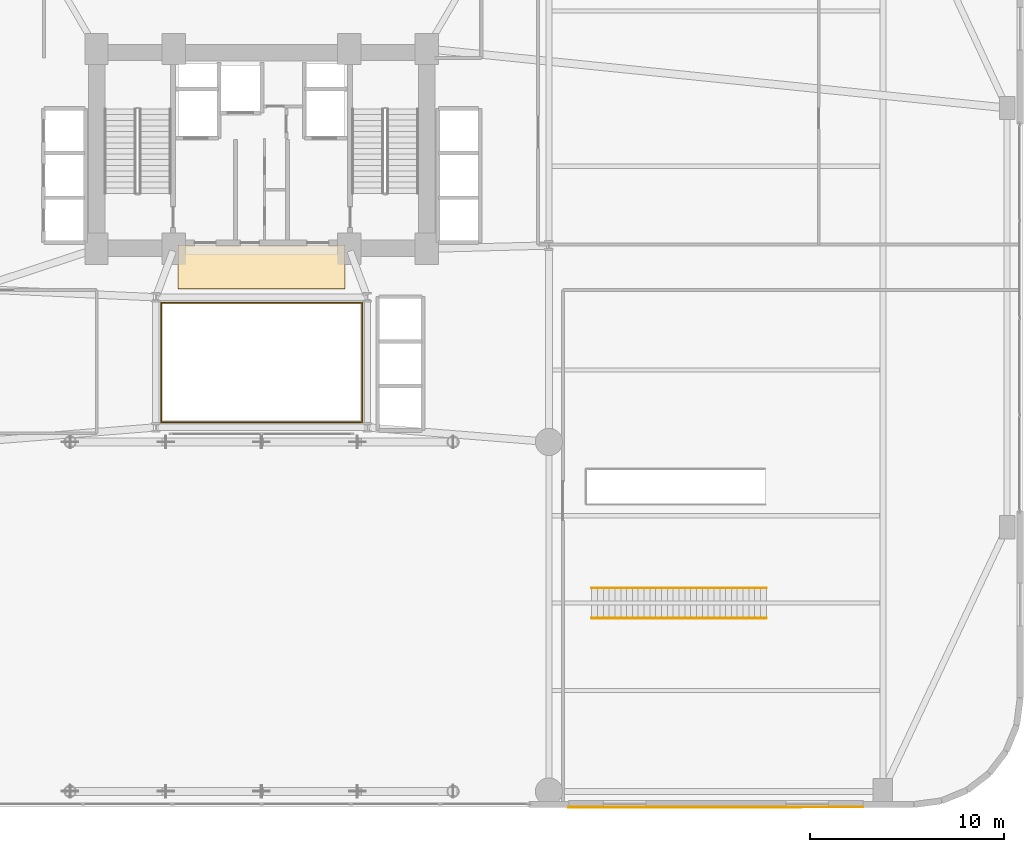
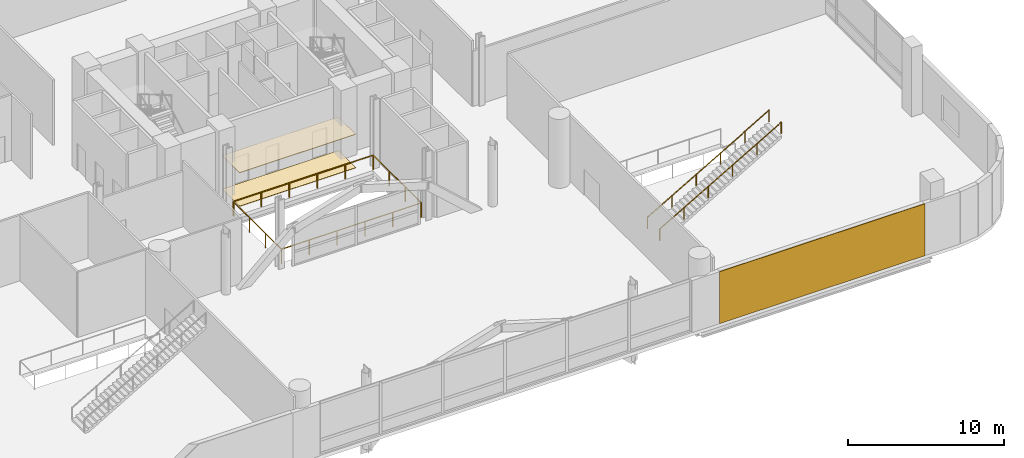
# One storey, part 31 of 36: 4 railings, 3 coverings.
"""IFC4 building model written with IfcOpenShell, lengths in metres."""

from ifc_helpers import new_model, si_unit, direction, frame, origin, origin_2d, place, context, subcontext, project, spatial, rectangle, circle, extrude, source, transform, mapped, material, layer, layer_set, type_object, element, save


model = new_model("IFC4")

# Units and contexts
model_context = context("Model", 3, precision=1e-05, world=origin(), true_north=direction((0.0, 1.0)))
body_context = subcontext(model_context, "Body", "Model", "MODEL_VIEW")
ifc_project = project(units=[si_unit("LENGTHUNIT", "METRE"), si_unit("AREAUNIT", "SQUARE_METRE"), si_unit("VOLUMEUNIT", "CUBIC_METRE"), si_unit("PLANEANGLEUNIT", "RADIAN"), si_unit("MASSUNIT", "GRAM", prefix="KILO")], contexts=[model_context])

# Site, building, storey
site_placement = place(None, origin())
site = spatial("IfcSite", under=ifc_project, at=site_placement, CompositionType="ELEMENT")
building_placement = place(site_placement, origin())
building = spatial("IfcBuilding", under=site, at=building_placement, Name="Varnelok Gate Tower", CompositionType="ELEMENT")
storey_placement = place(building_placement, frame((0.0, 0.0, 10.800048828125)))
storey = spatial("IfcBuildingStorey", under=building, at=storey_placement, Name="L02", CompositionType="ELEMENT", Elevation=10.800048828125)

# Railings
ifc_material_1 = material(Name="Tempered Laminated Balustrade Glass", Category="glass")
railing_type_1 = type_object("IfcRailingType", Name="RL-ATR-GUARD1150", PredefinedType="GUARDRAIL", material=ifc_material_1)
railing_1_placement = place(storey_placement, frame((34.02001953125, 25.929931640625, 0.0)))
element("IfcRailing", 1, at=railing_1_placement, inside=storey, type_object=railing_type_1, Name="L02 Internal Atrium South-West Guardrail", PredefinedType="GUARDRAIL", context=body_context, shape_type="SweptSolid", body=[
    extrude(circle(Radius=0.02392578125, at=origin_2d()), frame((0.0, 0.0, 1.1259765625), z_axis=(0.0, -1.0, 0.0), x_axis=(1.0, 0.0, 0.0)), (0.0, 0.0, 1.0), 6.10986328125),
    extrude(circle(Radius=0.02392578125, at=origin_2d()), frame((0.0, -6.10986328125, 1.1259765625), z_axis=(1.0, 0.0, 0.0), x_axis=(0.0, 1.0, 0.0)), (0.0, 0.0, 1.0), 10.31005859375),
    extrude(circle(Radius=0.02099609375, at=origin_2d()), origin(), (0.0, 0.0, 1.0), 1.101806640625),
    extrude(circle(Radius=0.02099609375, at=origin_2d()), frame((0.0, -2.03662109375, 0.0)), (0.0, 0.0, 1.0), 1.101806640625),
    extrude(circle(Radius=0.02099609375, at=origin_2d()), frame((0.0, -4.0732421875, 0.0)), (0.0, 0.0, 1.0), 1.101806640625),
    extrude(circle(Radius=0.02099609375, at=origin_2d()), frame((0.0, -6.10986328125, 0.0)), (0.0, 0.0, 1.0), 1.101806640625),
    extrude(circle(Radius=0.02099609375, at=origin_2d()), frame((2.06201171875, -6.10986328125, 0.0)), (0.0, 0.0, 1.0), 1.101806640625),
    extrude(circle(Radius=0.02099609375, at=origin_2d()), frame((4.1240234375, -6.10986328125, 0.0)), (0.0, 0.0, 1.0), 1.101806640625),
    extrude(circle(Radius=0.02099609375, at=origin_2d()), frame((6.18603515625, -6.10986328125, 0.0)), (0.0, 0.0, 1.0), 1.101806640625),
    extrude(circle(Radius=0.02099609375, at=origin_2d()), frame((8.248046875, -6.10986328125, 0.0)), (0.0, 0.0, 1.0), 1.101806640625),
    extrude(circle(Radius=0.02099609375, at=origin_2d()), frame((10.31005859375, -6.10986328125, 0.0)), (0.0, 0.0, 1.0), 1.101806640625),
])
railing_2_placement = place(storey_placement, frame((44.3798828125, 19.820068359375, 0.0)))
element("IfcRailing", 2, at=railing_2_placement, inside=storey, type_object=railing_type_1, Name="L02 Internal Atrium North-East Guardrail", PredefinedType="GUARDRAIL", context=body_context, shape_type="SweptSolid", body=[
    extrude(circle(Radius=0.02392578125, at=origin_2d()), frame((0.0, 0.0, 1.1259765625), z_axis=(0.0, 1.0, 0.0), x_axis=(-1.0, 0.0, 0.0)), (0.0, 0.0, 1.0), 6.159912109375),
    extrude(circle(Radius=0.02392578125, at=origin_2d()), frame((0.0, 6.159912109375, 1.1259765625), z_axis=(-1.0, 0.0, 0.0), x_axis=(0.0, -1.0, 0.0)), (0.0, 0.0, 1.0), 10.35986328125),
    extrude(circle(Radius=0.02099609375, at=origin_2d()), origin(), (0.0, 0.0, 1.0), 1.101806640625),
    extrude(circle(Radius=0.02099609375, at=origin_2d()), frame((0.0, 2.05322265625, 0.0)), (0.0, 0.0, 1.0), 1.101806640625),
    extrude(circle(Radius=0.02099609375, at=origin_2d()), frame((0.0, 4.106689453125, 0.0)), (0.0, 0.0, 1.0), 1.101806640625),
    extrude(circle(Radius=0.02099609375, at=origin_2d()), frame((0.0, 6.159912109375, 0.0)), (0.0, 0.0, 1.0), 1.101806640625),
    extrude(circle(Radius=0.02099609375, at=origin_2d()), frame((-2.072021484375, 6.159912109375, 0.0)), (0.0, 0.0, 1.0), 1.101806640625),
    extrude(circle(Radius=0.02099609375, at=origin_2d()), frame((-4.14404296875, 6.159912109375, 0.0)), (0.0, 0.0, 1.0), 1.101806640625),
    extrude(circle(Radius=0.02099609375, at=origin_2d()), frame((-6.2158203125, 6.159912109375, 0.0)), (0.0, 0.0, 1.0), 1.101806640625),
    extrude(circle(Radius=0.02099609375, at=origin_2d()), frame((-8.287841796875, 6.159912109375, 0.0)), (0.0, 0.0, 1.0), 1.101806640625),
    extrude(circle(Radius=0.02099609375, at=origin_2d()), frame((-10.35986328125, 6.159912109375, 0.0)), (0.0, 0.0, 1.0), 1.101806640625),
])
ifc_material_2 = material(Name="Brushed Stainless Steel AISI 316", Category="steel")
railing_type_2 = type_object("IfcRailingType", Name="RL-HANDRAIL-900", PredefinedType="HANDRAIL", material=ifc_material_2)
for number, where, name in (
    (3, (56.199951171875, 9.72509765625, 0.174072265625), "ST-5-L02E Handrail L"),
    (4, (56.199951171875, 11.27490234375, 0.174072265625), "ST-5-L02E Handrail R"),
):
    element("IfcRailing", number, at=place(storey_placement, frame(where)), inside=storey, type_object=railing_type_2, Name=name, PredefinedType="HANDRAIL", context=body_context, shape_type="SweptSolid", body=[
        extrude(circle(Radius=0.02392578125, at=origin_2d()), frame((0.0, 0.0, 0.8759765625), z_axis=(0.864787960788, 0.0, 0.502137215187), x_axis=(0.0, 1.0, 0.0)), (0.0, 0.0, 1.0), 10.4072265625),
        extrude(circle(Radius=0.02099609375, at=origin_2d()), origin(), (0.0, 0.0, 1.0), 0.851806640625),
        extrude(circle(Radius=0.02099609375, at=origin_2d()), frame((1.800048828125, 0.0, 1.045166015625)), (0.0, 0.0, 1.0), 0.851806640625),
        extrude(circle(Radius=0.02099609375, at=origin_2d()), frame((3.60009765625, 0.0, 2.09033203125)), (0.0, 0.0, 1.0), 0.851806640625),
        extrude(circle(Radius=0.02099609375, at=origin_2d()), frame((5.39990234375, 0.0, 3.135498046875)), (0.0, 0.0, 1.0), 0.851806640625),
        extrude(circle(Radius=0.02099609375, at=origin_2d()), frame((7.199951171875, 0.0, 4.1806640625)), (0.0, 0.0, 1.0), 0.851806640625),
        extrude(circle(Radius=0.02099609375, at=origin_2d()), frame((9.0, 0.0, 5.225830078125)), (0.0, 0.0, 1.0), 0.851806640625),
    ])

# Coverings
ifc_material_3 = material(Name="Glazed Architectural Terracotta Ceramic", Category="masonry")
ifc_layer_1 = layer(ifc_material_3, 0.044921875)
ifc_layer_set_1 = layer_set([ifc_layer_1], Name="Glazed Architectural Terracotta Ceramic")
covering_type_1 = type_object("IfcCoveringType", Name="COV-TERRA-CLAD", PredefinedType="CLADDING", material=ifc_layer_set_1)
shared_shape_1 = source(origin(), body_context, "Body", "SweptSolid", [
    extrude(rectangle(XDim=15.199951171875, YDim=0.044921875, at=origin_2d()), origin(), (0.0, 0.0, 1.0), 4.070068359375),
])
covering_1_placement = place(storey_placement, frame((62.60009765625, -0.02197265625, 0.0), z_axis=(0.0, 0.0, 1.0), x_axis=(1.0, 0.0, 0.0)))
element("IfcCovering", 5, at=covering_1_placement, inside=storey, type_object=covering_type_1, Name="L02 Terracotta Arch Rainscreen Cladding S2", PredefinedType="CLADDING", context=body_context, shape_type="MappedRepresentation", body=[
    mapped(shared_shape_1, transform((0.0, 0.0, 0.0), scale=1.0)),
])
ifc_material_4 = material(Name="Honed Travertine Stone Flooring", Category="masonry")
ifc_layer_2 = layer(ifc_material_4, 0.02490234375)
ifc_layer_set_2 = layer_set([ifc_layer_2], Name="Honed Travertine Stone Flooring")
covering_type_2 = type_object("IfcCoveringType", Name="COV-FLOR-STONE", PredefinedType="FLOORING", material=ifc_layer_set_2)
shared_shape_2 = source(origin(), body_context, "Body", "SweptSolid", [
    extrude(rectangle(XDim=8.60009765625, YDim=2.219970703125, at=origin_2d()), origin(), (0.0, 0.0, 1.0), 0.02490234375),
])
covering_2_placement = place(storey_placement, frame((39.199951171875, 27.800048828125, 0.0), z_axis=(0.0, 0.0, 1.0), x_axis=(1.0, 0.0, 0.0)))
element("IfcCovering", 6, at=covering_2_placement, inside=storey, type_object=covering_type_2, Name="L02 Core Gallery Stone Flooring", PredefinedType="FLOORING", context=body_context, shape_type="MappedRepresentation", body=[
    mapped(shared_shape_2, transform((0.0, 0.0, 0.0), scale=1.0)),
])
ifc_material_5 = material(Name="Mineral Fiber Acoustic Ceiling Tile")
ifc_layer_3 = layer(ifc_material_5, 0.0400390625)
ifc_layer_set_3 = layer_set([ifc_layer_3], Name="Mineral Fiber Acoustic Ceiling Tile")
covering_type_3 = type_object("IfcCoveringType", Name="COV-CEIL-ACOUST", PredefinedType="CEILING", material=ifc_layer_set_3)
shared_shape_3 = source(origin(), body_context, "Body", "SweptSolid", [
    extrude(rectangle(XDim=8.60009765625, YDim=2.239990234375, at=origin_2d()), origin(), (0.0, 0.0, 1.0), 0.0400390625),
])
covering_3_placement = place(storey_placement, frame((39.199951171875, 27.820068359375, 2.599853515625), z_axis=(0.0, 0.0, 1.0), x_axis=(1.0, 0.0, 0.0)))
element("IfcCovering", 7, at=covering_3_placement, inside=storey, type_object=covering_type_3, Name="L02 Core Gallery Acoustic Ceiling", PredefinedType="CEILING", context=body_context, shape_type="MappedRepresentation", body=[
    mapped(shared_shape_3, transform((0.0, 0.0, 0.0), scale=1.0)),
])

save(model, "model.ifc")
